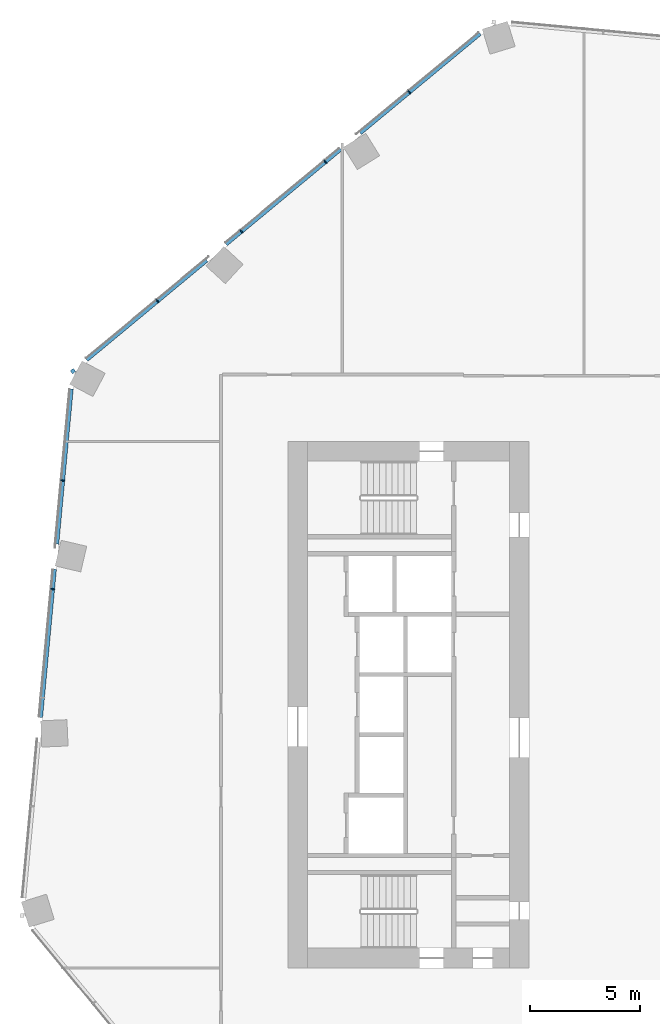
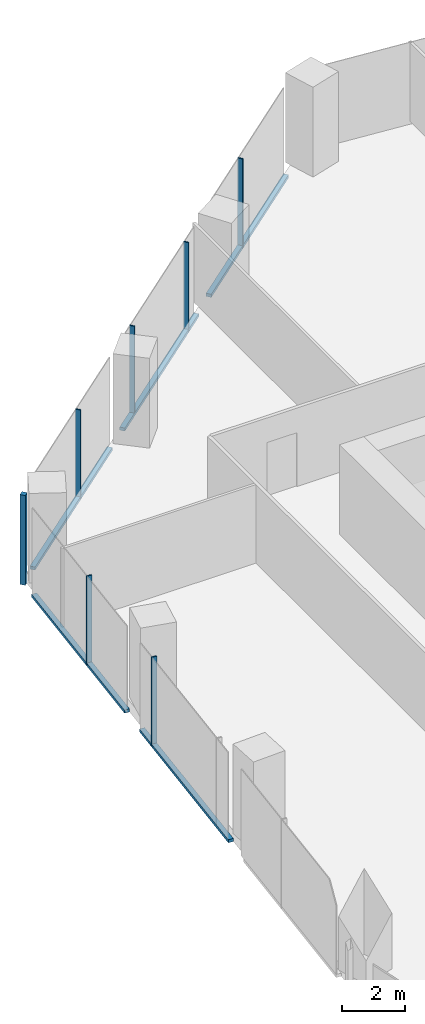
# One storey, part 10 of 24: 12 members, 2 elements without a shape of their own.
"""IFC4 building model written with IfcOpenShell, lengths in metres."""

from ifc_helpers import new_model, si_unit, direction, frame, origin, origin_2d, place, context, subcontext, project, spatial, rectangle, extrude, material, material_profile, profile_set, type_object, element, aggregate, save


model = new_model("IFC4")

# Units and contexts
model_context = context("Model", 3, precision=1e-05, world=origin(), true_north=direction((0.0, 1.0)))
body_context = subcontext(model_context, "Body", "Model", "MODEL_VIEW")
ifc_project = project(units=[si_unit("LENGTHUNIT", "METRE"), si_unit("AREAUNIT", "SQUARE_METRE"), si_unit("VOLUMEUNIT", "CUBIC_METRE"), si_unit("PLANEANGLEUNIT", "RADIAN"), si_unit("MASSUNIT", "GRAM", prefix="KILO")], contexts=[model_context])

# Site, building, storey
site_placement = place(None, origin())
site = spatial("IfcSite", under=ifc_project, at=site_placement, CompositionType="ELEMENT")
building_placement = place(site_placement, origin())
building = spatial("IfcBuilding", under=site, at=building_placement, Name="Orlundy Tower", CompositionType="ELEMENT")
storey_placement = place(building_placement, frame((0.0, 0.0, 174.10009765625)))
storey = spatial("IfcBuildingStorey", under=building, at=storey_placement, Name="L45", CompositionType="ELEMENT", Elevation=174.10009765625)

# Curtain wall, member
ifc_material_1 = material(Name="Aluminium bronze anodised", Category="aluminium")
curtain_wall_type = type_object("IfcCurtainWallType", Name="CW1 wall", PredefinedType="NOTDEFINED", material=ifc_material_1)
curtain_wall_1_placement = place(storey_placement, origin())
curtain_wall_1 = element("IfcCurtainWall", 1, at=curtain_wall_1_placement, inside=storey, type_object=curtain_wall_type, Name="CW1 run 03", PredefinedType="NOTDEFINED")
ifc_material_2 = material(Name="Aluminium bronze anodised", Category="aluminium")
ifc_material_profile_1 = material_profile(ifc_material_2, rectangle(XDim=0.179931640625, YDim=0.179931640625, at=origin_2d()), Name="CW1 corner post 180x180")
ifc_profile_set_1 = profile_set([ifc_material_profile_1], Name="Aluminium bronze anodised")
member_type_1 = type_object("IfcMemberType", Name="CW1 corner post 180x180", PredefinedType="MULLION", material=ifc_profile_set_1)
member_1_placement = place(storey_placement, frame((-28.801025390625, 15.20654296875, -0.420166015625), z_axis=(0.0, 0.0, 1.0), x_axis=(-0.638318424445, 0.769772426769, 0.0)))
member_1 = element("IfcMember", 2, at=member_1_placement, type_object=member_type_1, Name="CW1 mullion 14", PredefinedType="MULLION", context=body_context, shape_type="SweptSolid", body=[
    extrude(rectangle(XDim=0.179931640625, YDim=0.179931640625, at=origin_2d()), origin(), (0.0, 0.0, 1.0), 3.5),
])

# Curtain wall, members
curtain_wall_2_placement = place(storey_placement, origin())
curtain_wall_2 = element("IfcCurtainWall", 3, at=curtain_wall_2_placement, inside=storey, type_object=curtain_wall_type, Name="CW1 run 02", PredefinedType="NOTDEFINED")
ifc_material_3 = material(Name="Aluminium bronze anodised", Category="aluminium")
ifc_material_profile_2 = material_profile(ifc_material_3, rectangle(XDim=0.179931640625, YDim=0.050048828125, at=origin_2d()), Name="CW1 mullion 50x180")
ifc_profile_set_2 = profile_set([ifc_material_profile_2], Name="Aluminium bronze anodised")
member_type_2 = type_object("IfcMemberType", Name="CW1 mullion 50x180", PredefinedType="MULLION", material=ifc_profile_set_2)
member_2_placement = place(storey_placement, frame((-29.728515625, 5.271484375, -0.420166015625), z_axis=(0.0, 0.0, 1.0), x_axis=(-0.995670958136, 0.092948066811, 0.0)))
member_2 = element("IfcMember", 4, at=member_2_placement, type_object=member_type_2, Name="CW1 mullion 12", PredefinedType="MULLION", context=body_context, shape_type="SweptSolid", body=[
    extrude(rectangle(XDim=0.179931640625, YDim=0.050048828125, at=origin_2d()), origin(), (0.0, 0.0, 1.0), 3.5),
])
member_3_placement = place(storey_placement, frame((-29.2666015625, 10.220458984375, -0.420166015625), z_axis=(0.0, 0.0, 1.0), x_axis=(-0.995670958136, 0.092948066811, 0.0)))
member_3 = element("IfcMember", 5, at=member_3_placement, type_object=member_type_2, Name="CW1 mullion 13", PredefinedType="MULLION", context=body_context, shape_type="SweptSolid", body=[
    extrude(rectangle(XDim=0.179931640625, YDim=0.050048828125, at=origin_2d()), origin(), (0.0, 0.0, 1.0), 3.5),
])

# Member
member_4_placement = place(storey_placement, frame((-24.9462890625, 18.403076171875, -0.420166015625), z_axis=(0.0, 0.0, 1.0), x_axis=(-0.638318424445, 0.769772426769, 0.0)))
member_4 = element("IfcMember", 6, at=member_4_placement, type_object=member_type_2, Name="CW1 mullion 15", PredefinedType="MULLION", context=body_context, shape_type="SweptSolid", body=[
    extrude(rectangle(XDim=0.179931640625, YDim=0.050048828125, at=origin_2d()), origin(), (0.0, 0.0, 1.0), 3.5),
])

member_5_placement = place(storey_placement, frame((-21.1201171875, 21.575927734375, -0.420166015625), z_axis=(0.0, 0.0, 1.0), x_axis=(-0.638318424445, 0.769772426769, 0.0)))
member_5 = element("IfcMember", 7, at=member_5_placement, type_object=member_type_2, Name="CW1 mullion 16", PredefinedType="MULLION", context=body_context, shape_type="SweptSolid", body=[
    extrude(rectangle(XDim=0.179931640625, YDim=0.050048828125, at=origin_2d()), origin(), (0.0, 0.0, 1.0), 3.5),
])

member_6_placement = place(storey_placement, frame((-17.2939453125, 24.748779296875, -0.420166015625), z_axis=(0.0, 0.0, 1.0), x_axis=(-0.638318424445, 0.769772426769, 0.0)))
member_6 = element("IfcMember", 8, at=member_6_placement, type_object=member_type_2, Name="CW1 mullion 17", PredefinedType="MULLION", context=body_context, shape_type="SweptSolid", body=[
    extrude(rectangle(XDim=0.179931640625, YDim=0.050048828125, at=origin_2d()), origin(), (0.0, 0.0, 1.0), 3.5),
])

member_7_placement = place(storey_placement, frame((-13.467529296875, 27.92138671875, -0.420166015625), z_axis=(0.0, 0.0, 1.0), x_axis=(-0.638318424445, 0.769772426769, 0.0)))
member_7 = element("IfcMember", 9, at=member_7_placement, type_object=member_type_2, Name="CW1 mullion 18", PredefinedType="MULLION", context=body_context, shape_type="SweptSolid", body=[
    extrude(rectangle(XDim=0.179931640625, YDim=0.050048828125, at=origin_2d()), origin(), (0.0, 0.0, 1.0), 3.5),
])

ifc_material_4 = material(Name="Aluminium bronze anodised", Category="aluminium")
ifc_material_profile_3 = material_profile(ifc_material_4, rectangle(XDim=0.179931640625, YDim=0.1201171875, at=origin_2d()), Name="CW1 transom 180x120")
ifc_profile_set_3 = profile_set([ifc_material_profile_3], Name="Aluminium bronze anodised")
member_type_3 = type_object("IfcMemberType", Name="CW1 transom 180x120", PredefinedType="USERDEFINED", material=ifc_profile_set_3)
member_8_placement = place(storey_placement, frame((-30.275390625, -0.5859375, -0.360107421875), z_axis=(0.092955574003, 0.995670257295, 0.0), x_axis=(-0.995670257295, 0.092955574003, 0.0)))
member_8 = element("IfcMember", 10, at=member_8_placement, type_object=member_type_3, Name="CW1 transom", ObjectType="TRANSOM", PredefinedType="USERDEFINED", context=body_context, shape_type="SweptSolid", body=[
    extrude(rectangle(XDim=0.179931640625, YDim=0.1201171875, at=origin_2d()), origin(), (0.0, 0.0, 1.0), 6.79443359375),
])

member_9_placement = place(storey_placement, frame((-29.537353515625, 7.31982421875, -0.360107421875), z_axis=(0.092928997665, 0.995672738099, 0.0), x_axis=(-0.995672738099, 0.092928997665, 0.0)))
member_9 = element("IfcMember", 11, at=member_9_placement, type_object=member_type_3, Name="CW1 transom", ObjectType="TRANSOM", PredefinedType="USERDEFINED", context=body_context, shape_type="SweptSolid", body=[
    extrude(rectangle(XDim=0.179931640625, YDim=0.1201171875, at=origin_2d()), origin(), (0.0, 0.0, 1.0), 7.109130859375),
])

aggregate(curtain_wall_2, [member_2, member_3, member_8, member_9])

member_10_placement = place(storey_placement, frame((-28.17626953125, 15.724609375, -0.360107421875), z_axis=(0.769770309504, 0.638320977726, 0.0), x_axis=(-0.638320977726, 0.769770309504, 0.0)))
member_10 = element("IfcMember", 12, at=member_10_placement, type_object=member_type_3, Name="CW1 transom", ObjectType="TRANSOM", PredefinedType="USERDEFINED", context=body_context, shape_type="SweptSolid", body=[
    extrude(rectangle(XDim=0.179931640625, YDim=0.1201171875, at=origin_2d()), origin(), (0.0, 0.0, 1.0), 7.10791015625),
])

member_11_placement = place(storey_placement, frame((-21.822021484375, 20.99365234375, -0.360107421875), z_axis=(0.769750639543, 0.638344697576, 0.0), x_axis=(-0.638344697576, 0.769750639543, 0.0)))
member_11 = element("IfcMember", 13, at=member_11_placement, type_object=member_type_3, Name="CW1 transom", ObjectType="TRANSOM", PredefinedType="USERDEFINED", context=body_context, shape_type="SweptSolid", body=[
    extrude(rectangle(XDim=0.179931640625, YDim=0.1201171875, at=origin_2d()), origin(), (0.0, 0.0, 1.0), 6.79443359375),
])

member_12_placement = place(storey_placement, frame((-15.70849609375, 26.063232421875, -0.360107421875), z_axis=(0.769773191659, 0.638317502035, 0.0), x_axis=(-0.638317502035, 0.769773191659, 0.0)))
member_12 = element("IfcMember", 14, at=member_12_placement, type_object=member_type_3, Name="CW1 transom", ObjectType="TRANSOM", PredefinedType="USERDEFINED", context=body_context, shape_type="SweptSolid", body=[
    extrude(rectangle(XDim=0.179931640625, YDim=0.1201171875, at=origin_2d()), origin(), (0.0, 0.0, 1.0), 7.107421875),
])

aggregate(curtain_wall_1, [member_1, member_4, member_5, member_6, member_7, member_10, member_11, member_12])

save(model, "model.ifc")
